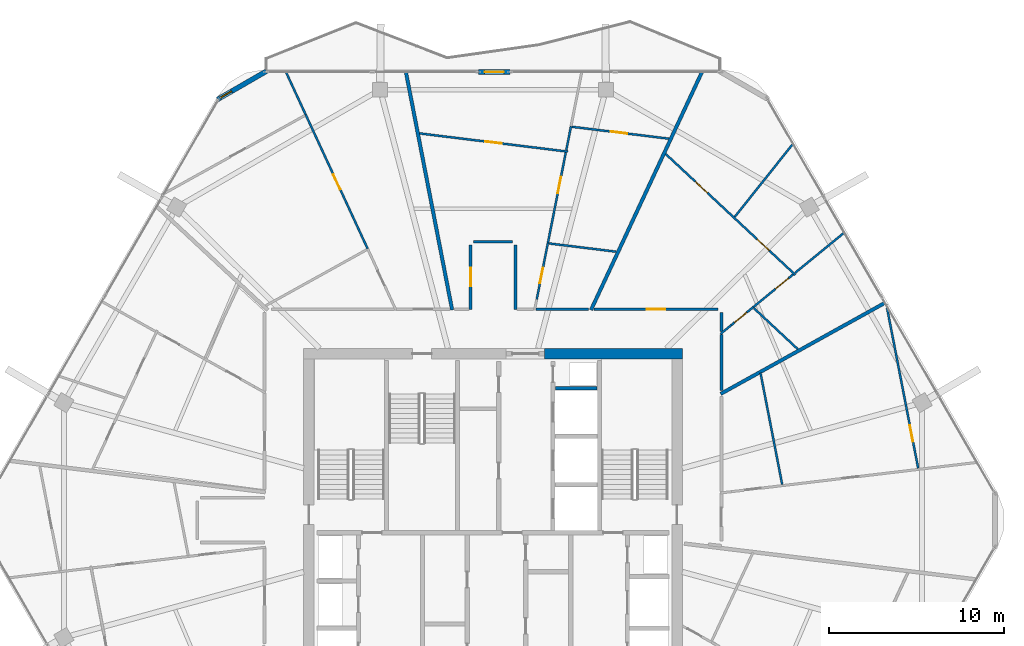
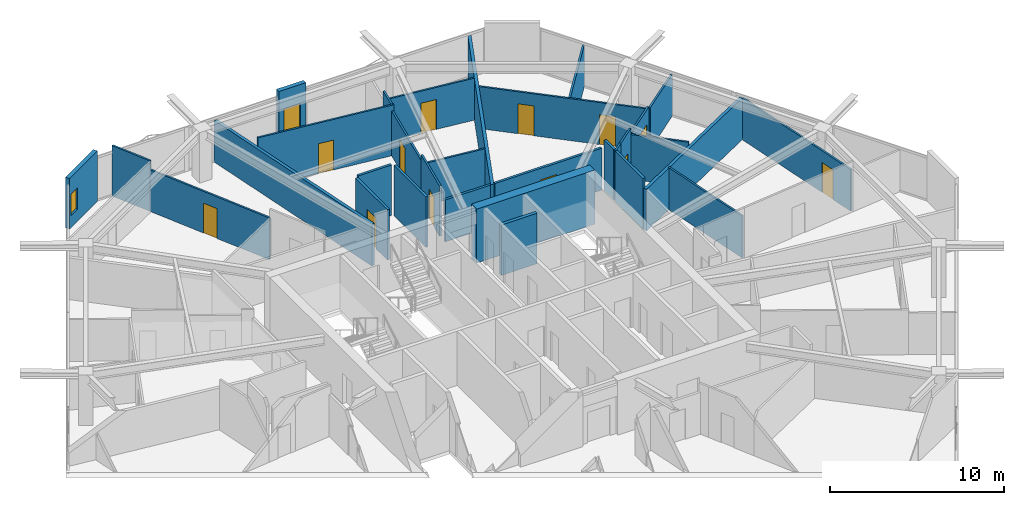
# One storey, part 23 of 27: 31 walls, 13 doors, 1 window, 14 openings.
"""IFC4 building model written with IfcOpenShell, lengths in metres."""

from ifc_helpers import new_model, si_unit, direction, frame, frame_2d, origin, place, context, subcontext, project, spatial, rectangle, extrude, material, layer, layer_set, type_object, element, fill, save


model = new_model("IFC4")

# Units and contexts
model_context = context("Model", 3, precision=1e-05, world=origin(), true_north=direction((0.0, 1.0)))
body_context = subcontext(model_context, "Body", "Model", "MODEL_VIEW")
ifc_project = project(units=[si_unit("LENGTHUNIT", "METRE"), si_unit("AREAUNIT", "SQUARE_METRE"), si_unit("VOLUMEUNIT", "CUBIC_METRE"), si_unit("PLANEANGLEUNIT", "RADIAN"), si_unit("MASSUNIT", "GRAM", prefix="KILO")], contexts=[model_context])

# Site, building, storey
site_placement = place(None, origin())
site = spatial("IfcSite", under=ifc_project, at=site_placement, CompositionType="ELEMENT")
building_placement = place(site_placement, origin())
building = spatial("IfcBuilding", under=site, at=building_placement, Name="Zuhravey Tower", CompositionType="ELEMENT")
storey_placement = place(building_placement, frame((0.0, 0.0, 265.39990234375)))
storey = spatial("IfcBuildingStorey", under=building, at=storey_placement, Name="L67", CompositionType="ELEMENT", Elevation=265.39990234375)

# Wall
ifc_material_1 = material(Name="Concrete C50/60", Category="concrete")
ifc_layer_1 = layer(ifc_material_1, 0.60009765625)
ifc_layer_set_1 = layer_set([ifc_layer_1], Name="Concrete C50/60")
wall_type_1 = type_object("IfcWallType", Name="Core Shear Wall 600", PredefinedType="SHEAR", material=ifc_layer_set_1)
wall_1_placement = place(storey_placement, frame((46.800048828125, 41.5, 0.0), z_axis=(0.0, 0.0, 1.0), x_axis=(-1.0, 0.0, 0.0)))
element("IfcWall", 1, at=wall_1_placement, inside=storey, type_object=wall_type_1, Name="L67 North-East Core Shear Wall CW60", PredefinedType="SHEAR", context=body_context, shape_type="SweptSolid", body=[
    extrude(rectangle(XDim=7.85009765625, YDim=0.60009765625, at=frame_2d((3.925048828125, 0.0))), origin(), (0.0, 0.0, 1.0), 3.800048828125),
])

# Wall, opening, door
ifc_material_2 = material(Name="Gypsum fire-rated stud partition")
ifc_layer_2 = layer(ifc_material_2, 0.159912109375)
ifc_layer_set_2 = layer_set([ifc_layer_2], Name="Gypsum fire-rated stud partition")
wall_type_2 = type_object("IfcWallType", Name="Corridor Fire Partition 160", PredefinedType="PARTITIONING", material=ifc_layer_set_2)
wall_2_placement = place(storey_placement, frame((48.85009765625, 44.030029296875, 0.0), z_axis=(0.0, 0.0, 1.0), x_axis=(-1.0, 0.0, 0.0)))
wall_2 = element("IfcWall", 2, at=wall_2_placement, inside=storey, type_object=wall_type_2, Name="L67 IW16 Partition 059", PredefinedType="PARTITIONING", context=body_context, shape_type="SweptSolid", body=[
    extrude(rectangle(XDim=7.08984375, YDim=0.159912109375, at=frame_2d((3.544921875, 0.0))), origin(), (0.0, 0.0, 1.0), 2.9501953125),
])
opening_1_placement = place(wall_2_placement, frame((3.02001953125, 0.0, 0.0)))
opening_1 = element("IfcOpeningElement", 3, at=opening_1_placement, cuts=wall_2, Name="Opening APD1", PredefinedType="OPENING", context=body_context, shape_type="SweptSolid", body=[
    extrude(rectangle(XDim=1.050048828125, YDim=2.14990234375, at=frame_2d((0.52490234375, 1.074951171875))), frame((0.0, 0.092041015625, 0.0), z_axis=(0.0, -1.0, 0.0), x_axis=(1.0, 0.0, 0.0)), (0.0, 0.0, 1.0), 0.183837890625),
])
ifc_material_3 = material(Name="Solid-core oak fire-rated leaf")
door_type_1 = type_object("IfcDoorType", Name="Apartment Entrance Fire Door 1050x2150", OperationType="NOTDEFINED", PredefinedType="DOOR", material=ifc_material_3)
door_1_placement = place(opening_1_placement, frame((1.050048828125, 0.0, 0.0), z_axis=(0.0, 0.0, 1.0), x_axis=(-1.0, 0.0, 0.0)))
door_1 = element("IfcDoor", 4, at=door_1_placement, inside=storey, type_object=door_type_1, Name="L67 Door 059.1", OperationType="SINGLE_SWING_RIGHT", OverallHeight=2.14990234375, OverallWidth=1.050048828125, PredefinedType="DOOR", context=body_context, shape_type="SweptSolid", body=[
    extrude(rectangle(XDim=1.050048828125, YDim=2.14990234375, at=frame_2d((0.52490234375, 1.074951171875))), frame((0.0, 0.02490234375, 0.0), z_axis=(0.0, -1.0, 0.0), x_axis=(1.0, 0.0, 0.0)), (0.0, 0.0, 1.0), 0.050048828125),
])
fill(opening_1, door_1)

wall_3_placement = place(storey_placement, frame((34.719970703125, 47.699951171875, 0.0), z_axis=(0.0, 0.0, 1.0), x_axis=(0.0, -1.0, 0.0)))
wall_3 = element("IfcWall", 5, at=wall_3_placement, inside=storey, type_object=wall_type_2, Name="L67 IW16 Partition 065", PredefinedType="PARTITIONING", context=body_context, shape_type="SweptSolid", body=[
    extrude(rectangle(XDim=3.669921875, YDim=0.159912109375, at=frame_2d((1.8349609375, 0.0))), origin(), (0.0, 0.0, 1.0), 3.550048828125),
])
opening_2_placement = place(wall_3_placement, frame((1.31005859375, 0.0, 0.0)))
opening_2 = element("IfcOpeningElement", 6, at=opening_2_placement, cuts=wall_3, Name="Opening APD1", PredefinedType="OPENING", context=body_context, shape_type="SweptSolid", body=[
    extrude(rectangle(XDim=1.050048828125, YDim=2.14990234375, at=frame_2d((0.52490234375, 1.074951171875))), frame((0.0, 0.092041015625, 0.0), z_axis=(0.0, -1.0, 0.0), x_axis=(1.0, 0.0, 0.0)), (0.0, 0.0, 1.0), 0.183837890625),
])
door_2_placement = place(opening_2_placement, origin())
door_2 = element("IfcDoor", 7, at=door_2_placement, inside=storey, type_object=door_type_1, Name="L67 Door 065.1", OperationType="SINGLE_SWING_LEFT", OverallHeight=2.14990234375, OverallWidth=1.050048828125, PredefinedType="DOOR", context=body_context, shape_type="SweptSolid", body=[
    extrude(rectangle(XDim=1.050048828125, YDim=2.14990234375, at=frame_2d((0.52490234375, 1.074951171875))), frame((0.0, 0.02490234375, 0.0), z_axis=(0.0, -1.0, 0.0), x_axis=(1.0, 0.0, 0.0)), (0.0, 0.0, 1.0), 0.050048828125),
])
fill(opening_2, door_2)

# Walls
wall_4_placement = place(storey_placement, frame((49.030029296875, 42.752685546875, 0.0), z_axis=(0.0, 0.0, 1.0), x_axis=(0.0, 1.0, 0.0)))
element("IfcWall", 8, at=wall_4_placement, inside=storey, type_object=wall_type_2, Name="L67 IW16 Partition 127", PredefinedType="PARTITIONING", context=body_context, shape_type="SweptSolid", body=[
    extrude(rectangle(XDim=1.097412109375, YDim=0.159912109375, at=frame_2d((0.548828125, 0.0))), origin(), (0.0, 0.0, 1.0), 3.550048828125),
])
wall_5_placement = place(storey_placement, frame((49.030029296875, 39.39501953125, 0.0), z_axis=(0.0, 0.0, 1.0), x_axis=(0.0, 1.0, 0.0)))
element("IfcWall", 9, at=wall_5_placement, inside=storey, type_object=wall_type_2, Name="L67 IW16 Partition 128", PredefinedType="PARTITIONING", context=body_context, shape_type="SweptSolid", body=[
    extrude(rectangle(XDim=3.18212890625, YDim=0.159912109375, at=frame_2d((1.591064453125, 0.0))), origin(), (0.0, 0.0, 1.0), 3.550048828125),
])
wall_6_placement = place(storey_placement, frame((37.280029296875, 44.030029296875, 0.0), z_axis=(0.0, 0.0, 1.0), x_axis=(0.0, 1.0, 0.0)))
element("IfcWall", 10, at=wall_6_placement, inside=storey, type_object=wall_type_2, Name="L67 IW16 Partition 129", PredefinedType="PARTITIONING", context=body_context, shape_type="SweptSolid", body=[
    extrude(rectangle(XDim=3.669921875, YDim=0.159912109375, at=frame_2d((1.8349609375, 0.0))), origin(), (0.0, 0.0, 1.0), 3.550048828125),
])
wall_7_placement = place(storey_placement, frame((37.10009765625, 47.8798828125, 0.0), z_axis=(0.0, 0.0, 1.0), x_axis=(-1.0, 0.0, 0.0)))
element("IfcWall", 11, at=wall_7_placement, inside=storey, type_object=wall_type_2, Name="L67 IW16 Partition 130", PredefinedType="PARTITIONING", context=body_context, shape_type="SweptSolid", body=[
    extrude(rectangle(XDim=2.2001953125, YDim=0.159912109375, at=frame_2d((1.10009765625, 0.0))), origin(), (0.0, 0.0, 1.0), 3.550048828125),
])
wall_8_placement = place(storey_placement, frame((41.46044921875, 44.030029296875, 0.0), z_axis=(0.0, 0.0, 1.0), x_axis=(-1.0, 0.0, 0.0)))
element("IfcWall", 12, at=wall_8_placement, inside=storey, type_object=wall_type_2, Name="L67 IW16 Partition 133", PredefinedType="PARTITIONING", context=body_context, shape_type="SweptSolid", body=[
    extrude(rectangle(XDim=3.009033203125, YDim=0.159912109375, at=frame_2d((1.50439453125, 0.0))), origin(), (0.0, 0.0, 1.0), 2.9501953125),
])

# Wall, opening, window
ifc_material_4 = material(Name="Precast concrete C40/50", Category="concrete")
ifc_layer_3 = layer(ifc_material_4, 0.280029296875)
ifc_layer_set_3 = layer_set([ifc_layer_3], Name="Precast concrete C40/50")
wall_type_3 = type_object("IfcWallType", Name="Crown Architectural Wall 280", PredefinedType="SOLIDWALL", material=ifc_layer_set_3)
wall_9_placement = place(storey_placement, frame((20.285400390625, 56.003662109375, 0.0), z_axis=(0.0, 0.0, 1.0), x_axis=(0.866028773314, 0.499994163758, 0.0)))
wall_9 = element("IfcWall", 13, at=wall_9_placement, inside=storey, type_object=wall_type_3, Name="L67 Rounded Corner Closure Wall EW28-08", PredefinedType="SOLIDWALL", context=body_context, shape_type="SweptSolid", body=[
    extrude(rectangle(XDim=3.21484375, YDim=0.280029296875, at=frame_2d((1.607421875, 0.0))), origin(), (0.0, 0.0, 1.0), 3.550048828125),
])
opening_3_placement = place(wall_9_placement, frame((0.17578125, 0.0, 0.85009765625)))
opening_3 = element("IfcOpeningElement", 14, at=opening_3_placement, cuts=wall_9, Name="Opening WN5", PredefinedType="OPENING", context=body_context, shape_type="SweptSolid", body=[
    extrude(rectangle(XDim=0.75, YDim=1.5, at=frame_2d((0.375, 0.75))), frame((0.0, 0.152099609375, 0.0), z_axis=(0.0, -1.0, 0.0), x_axis=(1.0, 0.0, 0.0)), (0.0, 0.0, 1.0), 0.303955078125),
])
ifc_material_5 = material(Name="Thermally broken aluminium and triple low-E glass", Category="aluminium")
window_type = type_object("IfcWindowType", Name="Residential Corner Casement Window 750x1500", PartitioningType="SINGLE_PANEL", PredefinedType="WINDOW", material=ifc_material_5)
window_placement = place(opening_3_placement, origin())
window = element("IfcWindow", 15, at=window_placement, inside=storey, type_object=window_type, Name="L67 Corner Casement Window WN5-08.1", OverallHeight=1.5, OverallWidth=0.75, PartitioningType="SINGLE_PANEL", PredefinedType="WINDOW", context=body_context, shape_type="SweptSolid", body=[
    extrude(rectangle(XDim=0.75, YDim=1.5, at=frame_2d((0.375, 0.75))), frame((0.0, 0.030029296875, 0.0), z_axis=(0.0, -1.0, 0.0), x_axis=(1.0, 0.0, 0.0)), (0.0, 0.0, 1.0), 0.06005859375),
])
fill(opening_3, window)

# Wall, opening, door
wall_10_placement = place(storey_placement, frame((35.17138671875, 57.563720703125, 0.0), z_axis=(0.0, 0.0, 1.0), x_axis=(1.0, 0.0, 0.0)))
wall_10 = element("IfcWall", 16, at=wall_10_placement, inside=storey, type_object=wall_type_3, Name="L67 Face 2 Facade Pier EW28-1", PredefinedType="SOLIDWALL", context=body_context, shape_type="SweptSolid", body=[
    extrude(rectangle(XDim=1.7900390625, YDim=0.280029296875, at=frame_2d((0.89501953125, 0.0))), origin(), (0.0, 0.0, 1.0), 3.550048828125),
])
opening_4_placement = place(wall_10_placement, frame((0.344970703125, 0.0, 0.0)))
opening_4 = element("IfcOpeningElement", 17, at=opening_4_placement, cuts=wall_10, Name="Opening BLD1", PredefinedType="OPENING", context=body_context, shape_type="SweptSolid", body=[
    extrude(rectangle(XDim=1.10009765625, YDim=2.199951171875, at=frame_2d((0.550048828125, 1.10009765625))), frame((0.0, 0.152099609375, 0.0), z_axis=(0.0, -1.0, 0.0), x_axis=(1.0, 0.0, 0.0)), (0.0, 0.0, 1.0), 0.303955078125),
])
ifc_material_6 = material(Name="Thermally broken aluminium and low-E glass", Category="aluminium")
door_type_2 = type_object("IfcDoorType", Name="Balcony & Sky-Tray Glazed Door 1100x2200", OperationType="NOTDEFINED", PredefinedType="DOOR", material=ifc_material_6)
door_3_placement = place(opening_4_placement, frame((1.10009765625, 0.0, 0.0), z_axis=(0.0, 0.0, 1.0), x_axis=(-1.0, 0.0, 0.0)))
door_3 = element("IfcDoor", 18, at=door_3_placement, inside=storey, type_object=door_type_2, Name="L67 Face 2 Wave Balcony Door", OperationType="SINGLE_SWING_RIGHT", OverallHeight=2.199951171875, OverallWidth=1.10009765625, PredefinedType="DOOR", context=body_context, shape_type="SweptSolid", body=[
    extrude(rectangle(XDim=1.10009765625, YDim=2.199951171875, at=frame_2d((0.550048828125, 1.10009765625))), frame((0.0, 0.02490234375, 0.0), z_axis=(0.0, -1.0, 0.0), x_axis=(1.0, 0.0, 0.0)), (0.0, 0.0, 1.0), 0.050048828125),
])
fill(opening_4, door_3)

# Walls
ifc_material_7 = material(Name="Gypsum double-stud party assembly")
ifc_layer_4 = layer(ifc_material_7, 0.199951171875)
ifc_layer_set_4 = layer_set([ifc_layer_4], Name="Gypsum double-stud party assembly")
wall_type_4 = type_object("IfcWallType", Name="Inter-Tenancy Party Wall 200", PredefinedType="PARTITIONING", material=ifc_layer_set_4)
wall_11_placement = place(storey_placement, frame((48.989990234375, 39.200439453125, 0.0), z_axis=(0.0, 0.0, 1.0), x_axis=(0.874612572959, 0.484822490426, 0.0)))
element("IfcWall", 19, at=wall_11_placement, inside=storey, type_object=wall_type_4, Name="L67 IW20 Partition 101", PredefinedType="PARTITIONING", context=body_context, shape_type="SweptSolid", body=[
    extrude(rectangle(XDim=10.71533203125, YDim=0.199951171875, at=frame_2d((5.357666015625, 0.0))), origin(), (0.0, 0.0, 1.0), 2.93017578125),
])
wall_12_placement = place(storey_placement, frame((41.591064453125, 43.989990234375, 0.0), z_axis=(0.0, 0.0, 1.0), x_axis=(0.422607909104, 0.906312614479, 0.0)))
element("IfcWall", 20, at=wall_12_placement, inside=storey, type_object=wall_type_4, Name="L67 IW20 Partition 105", PredefinedType="PARTITIONING", context=body_context, shape_type="SweptSolid", body=[
    extrude(rectangle(XDim=14.976806640625, YDim=0.199951171875, at=frame_2d((7.48828125, 0.0))), origin(), (0.0, 0.0, 1.0), 2.93017578125),
])
wall_13_placement = place(storey_placement, frame((33.66943359375, 43.989990234375, 0.0), z_axis=(0.0, 0.0, 1.0), x_axis=(-0.190806334077, 0.981627700748, 0.0)))
element("IfcWall", 21, at=wall_13_placement, inside=storey, type_object=wall_type_4, Name="L67 IW20 Partition 109", PredefinedType="PARTITIONING", context=body_context, shape_type="SweptSolid", body=[
    extrude(rectangle(XDim=13.827880859375, YDim=0.199951171875, at=frame_2d((6.9140625, 0.0))), origin(), (0.0, 0.0, 1.0), 2.93017578125),
])
ifc_material_8 = material(Name="Gypsum acoustic stud assembly")
ifc_layer_5 = layer(ifc_material_8, 0.219970703125)
ifc_layer_set_5 = layer_set([ifc_layer_5], Name="Gypsum acoustic stud assembly")
wall_type_5 = type_object("IfcWallType", Name="School Acoustic Compartment Wall 220", PredefinedType="PARTITIONING", material=ifc_layer_set_5)
wall_14_placement = place(storey_placement, frame((39.55810546875, 39.52490234375, 0.0), z_axis=(0.0, 0.0, 1.0), x_axis=(1.0, 0.0, 0.0)))
element("IfcWall", 22, at=wall_14_placement, inside=storey, type_object=wall_type_5, Name="L67 IW22 Partition 073", PredefinedType="PARTITIONING", context=body_context, shape_type="SweptSolid", body=[
    extrude(rectangle(XDim=2.3837890625, YDim=0.219970703125, at=frame_2d((1.19189453125, 0.0))), origin(), (0.0, 0.0, 1.0), 3.550048828125),
])

# Wall, opening, door
ifc_material_9 = material(Name="Gypsum metal-stud partition")
ifc_layer_6 = layer(ifc_material_9, 0.1201171875)
ifc_layer_set_6 = layer_set([ifc_layer_6], Name="Gypsum metal-stud partition")
wall_type_6 = type_object("IfcWallType", Name="Unit Internal Partition 120", PredefinedType="PARTITIONING", material=ifc_layer_set_6)
wall_15_placement = place(storey_placement, frame((60.257080078125, 34.9609375, 0.0), z_axis=(0.0, 0.0, 1.0), x_axis=(-0.190833223762, 0.981622473616, 0.0)))
wall_15 = element("IfcWall", 23, at=wall_15_placement, inside=storey, type_object=wall_type_6, Name="L67 IW12 Partition 053", PredefinedType="PARTITIONING", context=body_context, shape_type="SweptSolid", body=[
    extrude(rectangle(XDim=9.505615234375, YDim=0.1201171875, at=frame_2d((4.7529296875, 0.0))), origin(), (0.0, 0.0, 1.0), 2.93017578125),
])
opening_5_placement = place(wall_15_placement, frame((1.553466796875, 0.0, 0.0)))
opening_5 = element("IfcOpeningElement", 24, at=opening_5_placement, cuts=wall_15, Name="Opening IND1", PredefinedType="OPENING", context=body_context, shape_type="SweptSolid", body=[
    extrude(rectangle(XDim=0.949951171875, YDim=2.10009765625, at=frame_2d((0.47509765625, 1.050048828125))), frame((0.0, 0.072021484375, 0.0), z_axis=(0.0, -1.0, 0.0), x_axis=(1.0, 0.0, 0.0)), (0.0, 0.0, 1.0), 0.14404296875),
])
ifc_material_10 = material(Name="Painted engineered timber leaf", Category="wood")
door_type_3 = type_object("IfcDoorType", Name="Internal Room & Bedroom Door 950x2100", OperationType="NOTDEFINED", PredefinedType="DOOR", material=ifc_material_10)
door_4_placement = place(opening_5_placement, frame((0.949951171875, 0.0, 0.0), z_axis=(0.0, 0.0, 1.0), x_axis=(-1.0, 0.0, 0.0)))
door_4 = element("IfcDoor", 25, at=door_4_placement, inside=storey, type_object=door_type_3, Name="Apartment L67-07 Bedroom 1 Door", OperationType="SINGLE_SWING_RIGHT", OverallHeight=2.10009765625, OverallWidth=0.949951171875, PredefinedType="DOOR", context=body_context, shape_type="SweptSolid", body=[
    extrude(rectangle(XDim=0.949951171875, YDim=2.10009765625, at=frame_2d((0.47509765625, 1.050048828125))), frame((0.0, 0.02490234375, 0.0), z_axis=(0.0, -1.0, 0.0), x_axis=(1.0, 0.0, 0.0)), (0.0, 0.0, 1.0), 0.050048828125),
])
fill(opening_5, door_4)

# Wall, openings, doors
wall_16_placement = place(storey_placement, frame((53.250244140625, 45.989990234375, 0.0), z_axis=(0.0, 0.0, 1.0), x_axis=(-0.731343343845, 0.682009467246, 0.0)))
wall_16 = element("IfcWall", 26, at=wall_16_placement, inside=storey, type_object=wall_type_6, Name="L67 IW12 Partition 055", PredefinedType="PARTITIONING", context=body_context, shape_type="SweptSolid", body=[
    extrude(rectangle(XDim=10.115234375, YDim=0.1201171875, at=frame_2d((5.0576171875, 0.0))), origin(), (0.0, 0.0, 1.0), 2.9501953125),
])
opening_6_placement = place(wall_16_placement, frame((2.03662109375, 0.0, 0.0)))
opening_6 = element("IfcOpeningElement", 27, at=opening_6_placement, cuts=wall_16, Name="Opening IND1", PredefinedType="OPENING", context=body_context, shape_type="SweptSolid", body=[
    extrude(rectangle(XDim=0.949951171875, YDim=2.10009765625, at=frame_2d((0.47509765625, 1.050048828125))), frame((0.0, 0.072021484375, 0.0), z_axis=(0.0, -1.0, 0.0), x_axis=(1.0, 0.0, 0.0)), (0.0, 0.0, 1.0), 0.14404296875),
])
opening_7_placement = place(wall_16_placement, frame((6.85400390625, 0.0, 0.0)))
opening_7 = element("IfcOpeningElement", 28, at=opening_7_placement, cuts=wall_16, Name="Opening IND1", PredefinedType="OPENING", context=body_context, shape_type="SweptSolid", body=[
    extrude(rectangle(XDim=0.949951171875, YDim=2.10009765625, at=frame_2d((0.47509765625, 1.050048828125))), frame((0.0, 0.072021484375, 0.0), z_axis=(0.0, -1.0, 0.0), x_axis=(1.0, 0.0, 0.0)), (0.0, 0.0, 1.0), 0.14404296875),
])
door_5_placement = place(opening_6_placement, frame((0.949951171875, 0.0, 0.0), z_axis=(0.0, 0.0, 1.0), x_axis=(-1.0, 0.0, 0.0)))
door_5 = element("IfcDoor", 29, at=door_5_placement, inside=storey, type_object=door_type_3, Name="Apartment L67-08 Family Study Door", OperationType="SINGLE_SWING_RIGHT", OverallHeight=2.10009765625, OverallWidth=0.949951171875, PredefinedType="DOOR", context=body_context, shape_type="SweptSolid", body=[
    extrude(rectangle(XDim=0.949951171875, YDim=2.10009765625, at=frame_2d((0.47509765625, 1.050048828125))), frame((0.0, 0.02490234375, 0.0), z_axis=(0.0, -1.0, 0.0), x_axis=(1.0, 0.0, 0.0)), (0.0, 0.0, 1.0), 0.050048828125),
])
fill(opening_6, door_5)
door_6_placement = place(opening_7_placement, frame((0.949951171875, 0.0, 0.0), z_axis=(0.0, 0.0, 1.0), x_axis=(-1.0, 0.0, 0.0)))
door_6 = element("IfcDoor", 30, at=door_6_placement, inside=storey, type_object=door_type_3, Name="Apartment L67-08 Dining Room Door", OperationType="SINGLE_SWING_LEFT", OverallHeight=2.10009765625, OverallWidth=0.949951171875, PredefinedType="DOOR", context=body_context, shape_type="SweptSolid", body=[
    extrude(rectangle(XDim=0.949951171875, YDim=2.10009765625, at=frame_2d((0.47509765625, 1.050048828125))), frame((0.0, 0.02490234375, 0.0), z_axis=(0.0, -1.0, 0.0), x_axis=(1.0, 0.0, 0.0)), (0.0, 0.0, 1.0), 0.050048828125),
])
fill(opening_7, door_6)

# Wall, opening, door
wall_17_placement = place(storey_placement, frame((49.60009765625, 43.131591796875, 0.0), z_axis=(0.0, 0.0, 1.0), x_axis=(0.773876497014, 0.633336535635, 0.0)))
wall_17 = element("IfcWall", 31, at=wall_17_placement, inside=storey, type_object=wall_type_6, Name="L67 IW12 Partition 056", PredefinedType="PARTITIONING", context=body_context, shape_type="SweptSolid", body=[
    extrude(rectangle(XDim=1.615478515625, YDim=0.1201171875, at=frame_2d((0.8076171875, 0.0))), origin(), (0.0, 0.0, 1.0), 3.550048828125),
])
opening_8_placement = place(wall_17_placement, frame((0.228515625, 0.0, 0.0)))
opening_8 = element("IfcOpeningElement", 32, at=opening_8_placement, cuts=wall_17, Name="Opening WCD1", PredefinedType="OPENING", context=body_context, shape_type="SweptSolid", body=[
    extrude(rectangle(XDim=0.89990234375, YDim=2.10009765625, at=frame_2d((0.449951171875, 1.050048828125))), frame((0.0, 0.072021484375, 0.0), z_axis=(0.0, -1.0, 0.0), x_axis=(1.0, 0.0, 0.0)), (0.0, 0.0, 1.0), 0.14404296875),
])
ifc_material_11 = material(Name="Moisture-resistant timber leaf", Category="wood")
door_type_4 = type_object("IfcDoorType", Name="Bathroom & WC Internal Door 900x2100", OperationType="NOTDEFINED", PredefinedType="DOOR", material=ifc_material_11)
door_7_placement = place(opening_8_placement, frame((0.89990234375, 0.0, 0.0), z_axis=(0.0, 0.0, 1.0), x_axis=(-1.0, 0.0, 0.0)))
door_7 = element("IfcDoor", 33, at=door_7_placement, inside=storey, type_object=door_type_4, Name="Apartment L67-08 Bathroom Door", OperationType="SINGLE_SWING_RIGHT", OverallHeight=2.10009765625, OverallWidth=0.89990234375, PredefinedType="DOOR", context=body_context, shape_type="SweptSolid", body=[
    extrude(rectangle(XDim=0.89990234375, YDim=2.10009765625, at=frame_2d((0.449951171875, 1.050048828125))), frame((0.0, 0.02490234375, 0.0), z_axis=(0.0, -1.0, 0.0), x_axis=(1.0, 0.0, 0.0)), (0.0, 0.0, 1.0), 0.050048828125),
])
fill(opening_8, door_7)

wall_18_placement = place(storey_placement, frame((50.850341796875, 44.15478515625, 0.0), z_axis=(0.0, 0.0, 1.0), x_axis=(0.773805447129, 0.633423341844, 0.0)))
wall_18 = element("IfcWall", 34, at=wall_18_placement, inside=storey, type_object=wall_type_6, Name="L67 IW12 Partition 057", PredefinedType="PARTITIONING", context=body_context, shape_type="SweptSolid", body=[
    extrude(rectangle(XDim=2.937255859375, YDim=0.1201171875, at=frame_2d((1.46875, 0.0))), origin(), (0.0, 0.0, 1.0), 3.150146484375),
])
opening_9_placement = place(wall_18_placement, frame((1.640625, 0.0, 0.0)))
opening_9 = element("IfcOpeningElement", 35, at=opening_9_placement, cuts=wall_18, Name="Opening IND1", PredefinedType="OPENING", context=body_context, shape_type="SweptSolid", body=[
    extrude(rectangle(XDim=0.949951171875, YDim=2.10009765625, at=frame_2d((0.47509765625, 1.050048828125))), frame((0.0, 0.072021484375, 0.0), z_axis=(0.0, -1.0, 0.0), x_axis=(1.0, 0.0, 0.0)), (0.0, 0.0, 1.0), 0.14404296875),
])
door_8_placement = place(opening_9_placement, frame((0.949951171875, 0.0, 0.0), z_axis=(0.0, 0.0, 1.0), x_axis=(-1.0, 0.0, 0.0)))
door_8 = element("IfcDoor", 36, at=door_8_placement, inside=storey, type_object=door_type_3, Name="Apartment L67-08 Bedroom 1 Door", OperationType="SINGLE_SWING_LEFT", OverallHeight=2.10009765625, OverallWidth=0.949951171875, PredefinedType="DOOR", context=body_context, shape_type="SweptSolid", body=[
    extrude(rectangle(XDim=0.949951171875, YDim=2.10009765625, at=frame_2d((0.47509765625, 1.050048828125))), frame((0.0, 0.02490234375, 0.0), z_axis=(0.0, -1.0, 0.0), x_axis=(1.0, 0.0, 0.0)), (0.0, 0.0, 1.0), 0.050048828125),
])
fill(opening_9, door_8)

# Wall
wall_19_placement = place(storey_placement, frame((53.2294921875, 46.102294921875, 0.0), z_axis=(0.0, 0.0, 1.0), x_axis=(0.773858778819, 0.633358184951, 0.0)))
element("IfcWall", 37, at=wall_19_placement, inside=storey, type_object=wall_type_6, Name="L67 IW12 Partition 058", PredefinedType="PARTITIONING", context=body_context, shape_type="SweptSolid", body=[
    extrude(rectangle(XDim=3.643798828125, YDim=0.1201171875, at=frame_2d((1.82177734375, 0.0))), origin(), (0.0, 0.0, 1.0), 2.93017578125),
])

# Wall, opening, door
wall_20_placement = place(storey_placement, frame((40.264892578125, 53.02392578125, 0.0), z_axis=(0.0, 0.0, 1.0), x_axis=(-0.992544489296, 0.121882881359, 0.0)))
wall_20 = element("IfcWall", 38, at=wall_20_placement, inside=storey, type_object=wall_type_6, Name="L67 IW12 Partition 060", PredefinedType="PARTITIONING", context=body_context, shape_type="SweptSolid", body=[
    extrude(rectangle(XDim=8.51904296875, YDim=0.1201171875, at=frame_2d((4.259521484375, 0.0))), origin(), (0.0, 0.0, 1.0), 3.550048828125),
])
opening_10_placement = place(wall_20_placement, frame((3.784423828125, 0.0, 0.0)))
opening_10 = element("IfcOpeningElement", 39, at=opening_10_placement, cuts=wall_20, Name="Opening IND1", PredefinedType="OPENING", context=body_context, shape_type="SweptSolid", body=[
    extrude(rectangle(XDim=0.949951171875, YDim=2.10009765625, at=frame_2d((0.47509765625, 1.050048828125))), frame((0.0, 0.072021484375, 0.0), z_axis=(0.0, -1.0, 0.0), x_axis=(1.0, 0.0, 0.0)), (0.0, 0.0, 1.0), 0.14404296875),
])
door_9_placement = place(opening_10_placement, frame((0.949951171875, 0.0, 0.0), z_axis=(0.0, 0.0, 1.0), x_axis=(-1.0, 0.0, 0.0)))
door_9 = element("IfcDoor", 40, at=door_9_placement, inside=storey, type_object=door_type_3, Name="Apartment L67-09 Family Study Door", OperationType="SINGLE_SWING_LEFT", OverallHeight=2.10009765625, OverallWidth=0.949951171875, PredefinedType="DOOR", context=body_context, shape_type="SweptSolid", body=[
    extrude(rectangle(XDim=0.949951171875, YDim=2.10009765625, at=frame_2d((0.47509765625, 1.050048828125))), frame((0.0, 0.02490234375, 0.0), z_axis=(0.0, -1.0, 0.0), x_axis=(1.0, 0.0, 0.0)), (0.0, 0.0, 1.0), 0.050048828125),
])
fill(opening_10, door_9)

wall_21_placement = place(storey_placement, frame((38.494873046875, 44.60009765625, 0.0), z_axis=(0.0, 0.0, 1.0), x_axis=(0.194240919575, 0.980953854757, 0.0)))
wall_21 = element("IfcWall", 41, at=wall_21_placement, inside=storey, type_object=wall_type_6, Name="L67 IW12 Partition 061", PredefinedType="PARTITIONING", context=body_context, shape_type="SweptSolid", body=[
    extrude(rectangle(XDim=3.280517578125, YDim=0.1201171875, at=frame_2d((1.64013671875, 0.0))), origin(), (0.0, 0.0, 1.0), 3.550048828125),
])
opening_11_placement = place(wall_21_placement, frame((0.927734375, 0.0, 0.0)))
opening_11 = element("IfcOpeningElement", 42, at=opening_11_placement, cuts=wall_21, Name="Opening WCD1", PredefinedType="OPENING", context=body_context, shape_type="SweptSolid", body=[
    extrude(rectangle(XDim=0.89990234375, YDim=2.10009765625, at=frame_2d((0.449951171875, 1.050048828125))), frame((0.0, 0.072021484375, 0.0), z_axis=(0.0, -1.0, 0.0), x_axis=(1.0, 0.0, 0.0)), (0.0, 0.0, 1.0), 0.14404296875),
])
door_10_placement = place(opening_11_placement, frame((0.89990234375, 0.0, 0.0), z_axis=(0.0, 0.0, 1.0), x_axis=(-1.0, 0.0, 0.0)))
door_10 = element("IfcDoor", 43, at=door_10_placement, inside=storey, type_object=door_type_4, Name="Apartment L67-09 Bathroom Door", OperationType="SINGLE_SWING_RIGHT", OverallHeight=2.10009765625, OverallWidth=0.89990234375, PredefinedType="DOOR", context=body_context, shape_type="SweptSolid", body=[
    extrude(rectangle(XDim=0.89990234375, YDim=2.10009765625, at=frame_2d((0.449951171875, 1.050048828125))), frame((0.0, 0.02490234375, 0.0), z_axis=(0.0, -1.0, 0.0), x_axis=(1.0, 0.0, 0.0)), (0.0, 0.0, 1.0), 0.050048828125),
])
fill(opening_11, door_10)

wall_22_placement = place(storey_placement, frame((39.132080078125, 47.818115234375, 0.0), z_axis=(0.0, 0.0, 1.0), x_axis=(0.194247124133, 0.980952626158, 0.0)))
wall_22 = element("IfcWall", 44, at=wall_22_placement, inside=storey, type_object=wall_type_6, Name="L67 IW12 Partition 062", PredefinedType="PARTITIONING", context=body_context, shape_type="SweptSolid", body=[
    extrude(rectangle(XDim=5.251220703125, YDim=0.1201171875, at=frame_2d((2.62548828125, 0.0))), origin(), (0.0, 0.0, 1.0), 3.150146484375),
])
opening_12_placement = place(wall_22_placement, frame((2.8916015625, 0.0, 0.0)))
opening_12 = element("IfcOpeningElement", 45, at=opening_12_placement, cuts=wall_22, Name="Opening IND1", PredefinedType="OPENING", context=body_context, shape_type="SweptSolid", body=[
    extrude(rectangle(XDim=0.949951171875, YDim=2.10009765625, at=frame_2d((0.47509765625, 1.050048828125))), frame((0.0, 0.072021484375, 0.0), z_axis=(0.0, -1.0, 0.0), x_axis=(1.0, 0.0, 0.0)), (0.0, 0.0, 1.0), 0.14404296875),
])
door_11_placement = place(opening_12_placement, frame((0.949951171875, 0.0, 0.0), z_axis=(0.0, 0.0, 1.0), x_axis=(-1.0, 0.0, 0.0)))
door_11 = element("IfcDoor", 46, at=door_11_placement, inside=storey, type_object=door_type_3, Name="Apartment L67-09 Home Office Door", OperationType="SINGLE_SWING_LEFT", OverallHeight=2.10009765625, OverallWidth=0.949951171875, PredefinedType="DOOR", context=body_context, shape_type="SweptSolid", body=[
    extrude(rectangle(XDim=0.949951171875, YDim=2.10009765625, at=frame_2d((0.47509765625, 1.050048828125))), frame((0.0, 0.02490234375, 0.0), z_axis=(0.0, -1.0, 0.0), x_axis=(1.0, 0.0, 0.0)), (0.0, 0.0, 1.0), 0.050048828125),
])
fill(opening_12, door_11)

# Wall
wall_23_placement = place(storey_placement, frame((40.178466796875, 53.10302734375, 0.0), z_axis=(0.0, 0.0, 1.0), x_axis=(0.194299662618, 0.980942221085, 0.0)))
element("IfcWall", 47, at=wall_23_placement, inside=storey, type_object=wall_type_6, Name="L67 IW12 Partition 063", PredefinedType="PARTITIONING", context=body_context, shape_type="SweptSolid", body=[
    extrude(rectangle(XDim=1.39599609375, YDim=0.1201171875, at=frame_2d((0.697998046875, 0.0))), origin(), (0.0, 0.0, 1.0), 3.550048828125),
])

# Wall, opening, door
wall_24_placement = place(storey_placement, frame((46.027587890625, 53.76220703125, 0.0), z_axis=(0.0, 0.0, 1.0), x_axis=(-0.992544574318, 0.121882188984, 0.0)))
wall_24 = element("IfcWall", 48, at=wall_24_placement, inside=storey, type_object=wall_type_6, Name="L67 IW12 Partition 064", PredefinedType="PARTITIONING", context=body_context, shape_type="SweptSolid", body=[
    extrude(rectangle(XDim=5.556640625, YDim=0.1201171875, at=frame_2d((2.7783203125, 0.0))), origin(), (0.0, 0.0, 1.0), 2.9501953125),
])
opening_13_placement = place(wall_24_placement, frame((2.387451171875, 0.0, 0.0)))
opening_13 = element("IfcOpeningElement", 49, at=opening_13_placement, cuts=wall_24, Name="Opening IND1", PredefinedType="OPENING", context=body_context, shape_type="SweptSolid", body=[
    extrude(rectangle(XDim=0.949951171875, YDim=2.10009765625, at=frame_2d((0.47509765625, 1.050048828125))), frame((0.0, 0.072021484375, 0.0), z_axis=(0.0, -1.0, 0.0), x_axis=(1.0, 0.0, 0.0)), (0.0, 0.0, 1.0), 0.14404296875),
])
door_12_placement = place(opening_13_placement, frame((0.949951171875, 0.0, 0.0), z_axis=(0.0, 0.0, 1.0), x_axis=(-1.0, 0.0, 0.0)))
door_12 = element("IfcDoor", 50, at=door_12_placement, inside=storey, type_object=door_type_3, Name="Apartment L67-09 Bedroom 1 Door", OperationType="SINGLE_SWING_RIGHT", OverallHeight=2.10009765625, OverallWidth=0.949951171875, PredefinedType="DOOR", context=body_context, shape_type="SweptSolid", body=[
    extrude(rectangle(XDim=0.949951171875, YDim=2.10009765625, at=frame_2d((0.47509765625, 1.050048828125))), frame((0.0, 0.02490234375, 0.0), z_axis=(0.0, -1.0, 0.0), x_axis=(1.0, 0.0, 0.0)), (0.0, 0.0, 1.0), 0.050048828125),
])
fill(opening_13, door_12)

wall_25_placement = place(storey_placement, frame((28.844970703125, 47.485107421875, 0.0), z_axis=(0.0, 0.0, 1.0), x_axis=(-0.419453006553, 0.907777051535, 0.0)))
wall_25 = element("IfcWall", 51, at=wall_25_placement, inside=storey, type_object=wall_type_6, Name="L67 IW12 Partition 067", PredefinedType="PARTITIONING", context=body_context, shape_type="SweptSolid", body=[
    extrude(rectangle(XDim=8.4296875, YDim=0.1201171875, at=frame_2d((4.21484375, 0.0))), origin(), (0.0, 0.0, 1.0), 2.93017578125),
])
opening_14_placement = place(wall_25_placement, frame((3.71484375, 0.0, 0.0)))
opening_14 = element("IfcOpeningElement", 52, at=opening_14_placement, cuts=wall_25, Name="Opening IND1", PredefinedType="OPENING", context=body_context, shape_type="SweptSolid", body=[
    extrude(rectangle(XDim=0.949951171875, YDim=2.10009765625, at=frame_2d((0.47509765625, 1.050048828125))), frame((0.0, 0.072021484375, 0.0), z_axis=(0.0, -1.0, 0.0), x_axis=(1.0, 0.0, 0.0)), (0.0, 0.0, 1.0), 0.14404296875),
])
door_13_placement = place(opening_14_placement, origin())
door_13 = element("IfcDoor", 53, at=door_13_placement, inside=storey, type_object=door_type_3, Name="Apartment L67-10 Home Office Door", OperationType="SINGLE_SWING_LEFT", OverallHeight=2.10009765625, OverallWidth=0.949951171875, PredefinedType="DOOR", context=body_context, shape_type="SweptSolid", body=[
    extrude(rectangle(XDim=0.949951171875, YDim=2.10009765625, at=frame_2d((0.47509765625, 1.050048828125))), frame((0.0, 0.02490234375, 0.0), z_axis=(0.0, -1.0, 0.0), x_axis=(1.0, 0.0, 0.0)), (0.0, 0.0, 1.0), 0.050048828125),
])
fill(opening_14, door_13)

# Walls
wall_26_placement = place(storey_placement, frame((52.49755859375, 34.03564453125, 0.0), z_axis=(0.0, 0.0, 1.0), x_axis=(-0.190812206092, 0.981626559342, 0.0)))
element("IfcWall", 54, at=wall_26_placement, inside=storey, type_object=wall_type_6, Name="L67 IW12 Partition 100", PredefinedType="PARTITIONING", context=body_context, shape_type="SweptSolid", body=[
    extrude(rectangle(XDim=6.483154296875, YDim=0.1201171875, at=frame_2d((3.24169921875, 0.0))), origin(), (0.0, 0.0, 1.0), 2.9501953125),
])
wall_27_placement = place(storey_placement, frame((49.795166015625, 49.304931640625, 0.0), z_axis=(0.0, 0.0, 1.0), x_axis=(0.623334583936, 0.781955239429, 0.0)))
element("IfcWall", 55, at=wall_27_placement, inside=storey, type_object=wall_type_6, Name="L67 IW12 Partition 102", PredefinedType="PARTITIONING", context=body_context, shape_type="SweptSolid", body=[
    extrude(rectangle(XDim=5.365478515625, YDim=0.1201171875, at=frame_2d((2.6826171875, 0.0))), origin(), (0.0, 0.0, 1.0), 2.93017578125),
])
wall_28_placement = place(storey_placement, frame((48.985107421875, 42.628173828125, 0.0), z_axis=(0.0, 0.0, 1.0), x_axis=(0.773806724765, 0.63342178105, 0.0)))
element("IfcWall", 56, at=wall_28_placement, inside=storey, type_object=wall_type_6, Name="L67 IW12 Partition 103", PredefinedType="PARTITIONING", context=body_context, shape_type="SweptSolid", body=[
    extrude(rectangle(XDim=0.794677734375, YDim=0.1201171875, at=frame_2d((0.3974609375, 0.0))), origin(), (0.0, 0.0, 1.0), 3.550048828125),
])
wall_29_placement = place(storey_placement, frame((53.3828125, 41.759033203125, 0.0), z_axis=(0.0, 0.0, 1.0), x_axis=(-0.731335264497, 0.68201813092, 0.0)))
element("IfcWall", 57, at=wall_29_placement, inside=storey, type_object=wall_type_6, Name="L67 IW12 Partition 104", PredefinedType="PARTITIONING", context=body_context, shape_type="SweptSolid", body=[
    extrude(rectangle(XDim=3.420654296875, YDim=0.1201171875, at=frame_2d((1.71044921875, 0.0))), origin(), (0.0, 0.0, 1.0), 3.150146484375),
])
wall_30_placement = place(storey_placement, frame((43.0224609375, 47.315185546875, 0.0), z_axis=(0.0, 0.0, 1.0), x_axis=(-0.992546276814, 0.121868323949, 0.0)))
element("IfcWall", 58, at=wall_30_placement, inside=storey, type_object=wall_type_6, Name="L67 IW12 Partition 108", PredefinedType="PARTITIONING", context=body_context, shape_type="SweptSolid", body=[
    extrude(rectangle(XDim=3.8564453125, YDim=0.1201171875, at=frame_2d((1.92822265625, 0.0))), origin(), (0.0, 0.0, 1.0), 2.9501953125),
])
wall_31_placement = place(storey_placement, frame((25.30908203125, 55.137451171875, 0.0), z_axis=(0.0, 0.0, 1.0), x_axis=(-0.419509024285, 0.907751165542, 0.0)))
element("IfcWall", 59, at=wall_31_placement, inside=storey, type_object=wall_type_6, Name="L67 IW12 Partition 111", PredefinedType="PARTITIONING", context=body_context, shape_type="SweptSolid", body=[
    extrude(rectangle(XDim=2.67822265625, YDim=0.1201171875, at=frame_2d((1.339111328125, 0.0))), origin(), (0.0, 0.0, 1.0), 3.550048828125),
])

save(model, "model.ifc")
